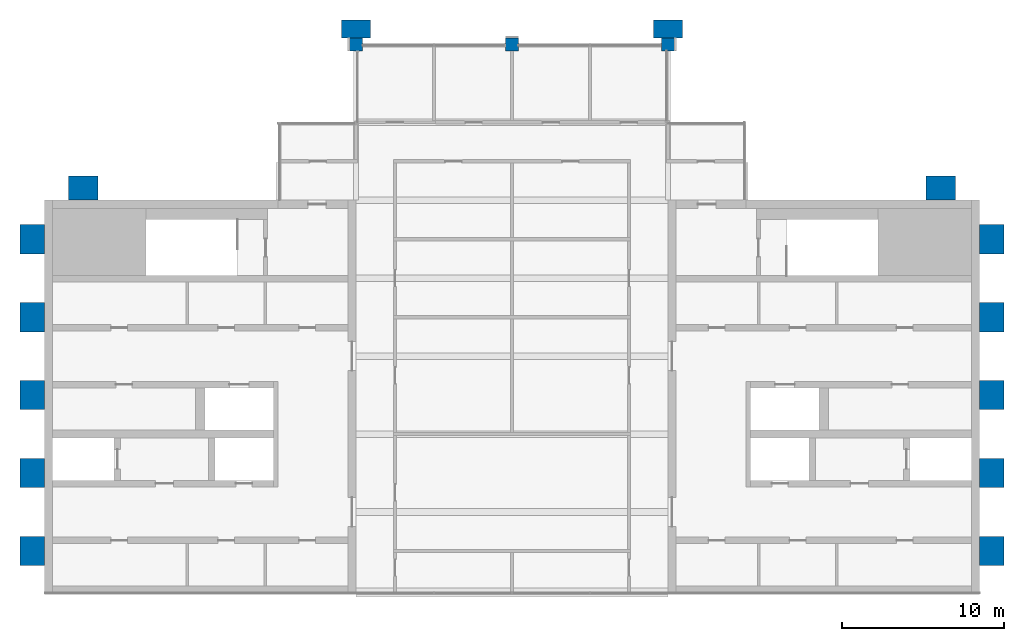
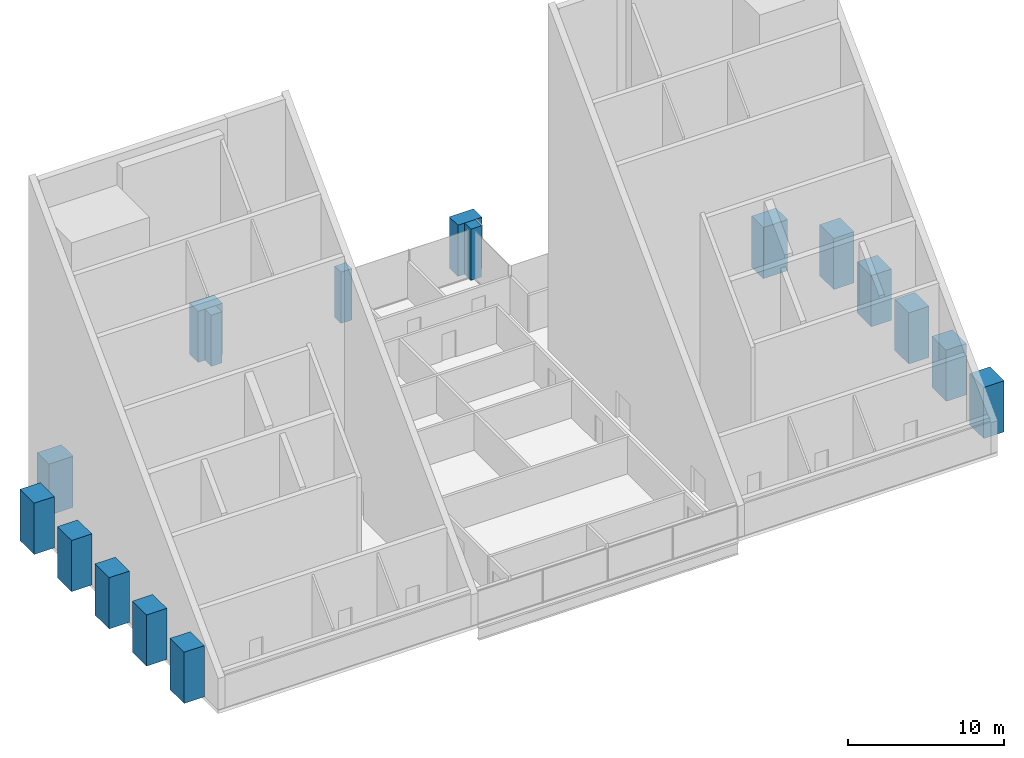
# One storey, part 1 of 12: 17 columns.
"""IFC4 building model written with IfcOpenShell, lengths in metres."""

from ifc_helpers import new_model, si_unit, direction, frame, origin, origin_2d, place, context, subcontext, project, spatial, rectangle, extrude, material, material_profile, profile_set, type_object, element, save


model = new_model("IFC4")

# Units and contexts
model_context = context("Model", 3, precision=1e-05, world=origin(), true_north=direction((0.0, 1.0)))
body_context = subcontext(model_context, "Body", "Model", "MODEL_VIEW")
ifc_project = project(units=[si_unit("LENGTHUNIT", "METRE"), si_unit("AREAUNIT", "SQUARE_METRE"), si_unit("VOLUMEUNIT", "CUBIC_METRE"), si_unit("PLANEANGLEUNIT", "RADIAN"), si_unit("MASSUNIT", "GRAM", prefix="KILO")], contexts=[model_context])

# Site, building, storey
site_placement = place(None, origin())
site = spatial("IfcSite", under=ifc_project, at=site_placement, CompositionType="ELEMENT")
building_placement = place(site_placement, origin())
building = spatial("IfcBuilding", under=site, at=building_placement, Name="Baori Bourse Tower", CompositionType="ELEMENT")
storey_placement = place(building_placement, frame((0.0, 0.0, 374.300048828125)))
storey = spatial("IfcBuildingStorey", under=building, at=storey_placement, Name="L84", CompositionType="ELEMENT", Elevation=374.300048828125)

# Columns
ifc_material_1 = material(Name="Concrete f'c 60 MPa", Category="concrete")
ifc_material_profile_1 = material_profile(ifc_material_1, rectangle(XDim=1.800048828125, YDim=1.10009765625, at=origin_2d()), Name="RC 1800x1100")
ifc_profile_set_1 = profile_set([ifc_material_profile_1], Name="Concrete f'c 60 MPa")
column_type_1 = type_object("IfcColumnType", Name="FN3 Brick pilaster 1800x1100", PredefinedType="PILASTER", material=ifc_profile_set_1)
for number, where, z_axis, x_axis, name in (
    (1, (19.199951171875, 48.949951171875, 0.0), (0.0, 0.0, 1.0), (1.0, 0.0, 0.0), "Brick pilaster L84 13"),
    (2, (38.39990234375, 48.949951171875, 0.0), (0.0, 0.0, 1.0), (1.0, 0.0, 0.0), "Brick pilaster L84 14"),
):
    element("IfcColumn", number, at=place(storey_placement, frame(where, z_axis=z_axis, x_axis=x_axis)), inside=storey, type_object=column_type_1, Name=name, PredefinedType="PILASTER", context=body_context, shape_type="SweptSolid", body=[
        extrude(rectangle(XDim=1.800048828125, YDim=1.10009765625, at=origin_2d()), origin(), (0.0, 0.0, 1.0), 4.0),
    ])
ifc_material_2 = material(Name="Concrete f'c 60 MPa", Category="concrete")
ifc_material_profile_2 = material_profile(ifc_material_2, rectangle(XDim=1.800048828125, YDim=1.5, at=origin_2d()), Name="RC 1800x1500")
ifc_profile_set_2 = profile_set([ifc_material_profile_2], Name="Concrete f'c 60 MPa")
column_type_2 = type_object("IfcColumnType", Name="FN4 Brick flank pilaster 1800x1500", PredefinedType="PILASTER", material=ifc_profile_set_2)
for number, where, z_axis, x_axis, name in (
    (3, (-0.75, 16.800048828125, 0.0), (0.0, 0.0, 1.0), (0.0, 1.0, 0.0), "Brick pilaster L84 1"),
    (4, (-0.75, 21.60009765625, 0.0), (0.0, 0.0, 1.0), (0.0, 1.0, 0.0), "Brick pilaster L84 2"),
    (5, (-0.75, 26.39990234375, 0.0), (0.0, 0.0, 1.0), (0.0, 1.0, 0.0), "Brick pilaster L84 3"),
    (6, (-0.75, 31.199951171875, 0.0), (0.0, 0.0, 1.0), (0.0, 1.0, 0.0), "Brick pilaster L84 4"),
    (7, (-0.75, 36.0, 0.0), (0.0, 0.0, 1.0), (0.0, 1.0, 0.0), "Brick pilaster L84 5"),
    (8, (58.35009765625, 16.800048828125, 0.0), (0.0, 0.0, 1.0), (0.0, 1.0, 0.0), "Brick pilaster L84 6"),
    (9, (58.35009765625, 21.60009765625, 0.0), (0.0, 0.0, 1.0), (0.0, 1.0, 0.0), "Brick pilaster L84 7"),
    (10, (58.35009765625, 26.39990234375, 0.0), (0.0, 0.0, 1.0), (0.0, 1.0, 0.0), "Brick pilaster L84 8"),
    (11, (58.35009765625, 31.199951171875, 0.0), (0.0, 0.0, 1.0), (0.0, 1.0, 0.0), "Brick pilaster L84 9"),
    (12, (58.35009765625, 36.0, 0.0), (0.0, 0.0, 1.0), (0.0, 1.0, 0.0), "Brick pilaster L84 10"),
    (13, (55.199951171875, 39.14990234375, 0.0), (0.0, 0.0, 1.0), (1.0, 0.0, 0.0), "Brick pilaster L84 11"),
    (14, (2.39990234375, 39.14990234375, 0.0), (0.0, 0.0, 1.0), (1.0, 0.0, 0.0), "Brick pilaster L84 12"),
):
    element("IfcColumn", number, at=place(storey_placement, frame(where, z_axis=z_axis, x_axis=x_axis)), inside=storey, type_object=column_type_2, Name=name, PredefinedType="PILASTER", context=body_context, shape_type="SweptSolid", body=[
        extrude(rectangle(XDim=1.800048828125, YDim=1.5, at=origin_2d()), origin(), (0.0, 0.0, 1.0), 4.0),
    ])
ifc_material_3 = material(Name="Concrete f'c 40 MPa", Category="concrete")
ifc_material_profile_3 = material_profile(ifc_material_3, rectangle(XDim=0.800048828125, YDim=0.800048828125, at=origin_2d()), Name="RC 800x800")
ifc_profile_set_3 = profile_set([ifc_material_profile_3], Name="Concrete f'c 40 MPa")
column_type_3 = type_object("IfcColumnType", Name="Perimeter column 40 RC 800x800", PredefinedType="COLUMN", material=ifc_profile_set_3)
for number, where, z_axis, x_axis, name in (
    (15, (19.199951171875, 48.0, 0.0), (0.0, 0.0, 1.0), (1.0, 0.0, 0.0), "Perimeter column L84"),
    (16, (28.800048828125, 48.0, 0.0), (0.0, 0.0, 1.0), (1.0, 0.0, 0.0), "Perimeter column L84"),
    (17, (38.39990234375, 48.0, 0.0), (0.0, 0.0, 1.0), (1.0, 0.0, 0.0), "Perimeter column L84"),
):
    element("IfcColumn", number, at=place(storey_placement, frame(where, z_axis=z_axis, x_axis=x_axis)), inside=storey, type_object=column_type_3, Name=name, PredefinedType="COLUMN", context=body_context, shape_type="SweptSolid", body=[
        extrude(rectangle(XDim=0.800048828125, YDim=0.800048828125, at=origin_2d()), origin(), (0.0, 0.0, 1.0), 4.0),
    ])

save(model, "model.ifc")
